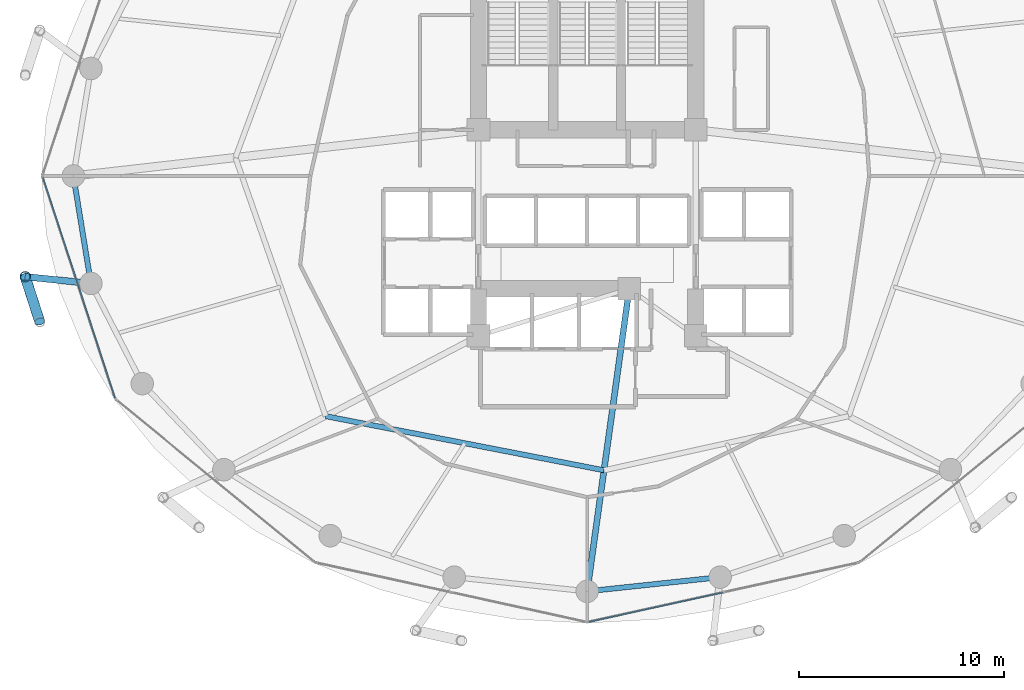
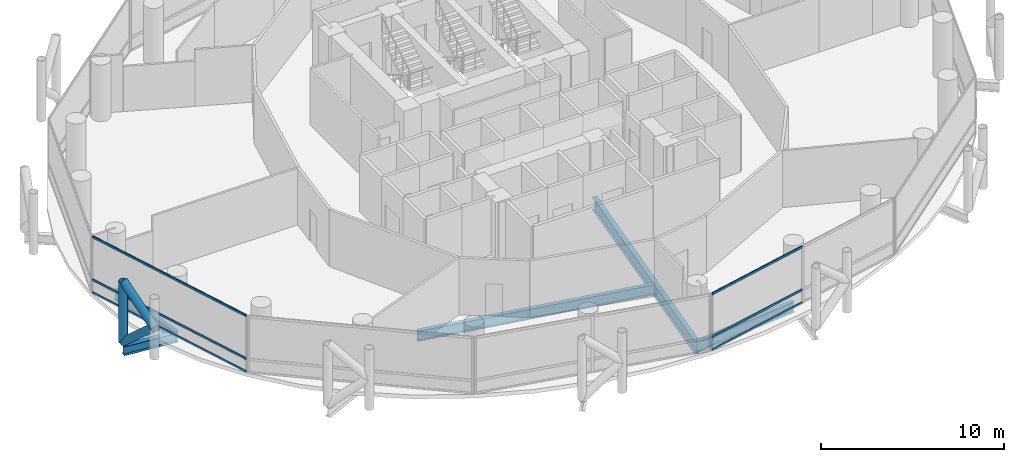
# One storey, part 5 of 25: 9 members, 5 beams, 2 elements without a shape of their own.
"""IFC4 building model written with IfcOpenShell, lengths in metres."""

from ifc_helpers import new_model, si_unit, direction, frame, origin, origin_2d, place, context, subcontext, project, spatial, hollow_rectangle, hollow_circle, i_section, extrude, material, layer, layer_set, material_profile, profile_set, type_object, element, aggregate, save


model = new_model("IFC4")

# Units and contexts
model_context = context("Model", 3, precision=1e-05, world=origin(), true_north=direction((0.0, 1.0)))
body_context = subcontext(model_context, "Body", "Model", "MODEL_VIEW")
ifc_project = project(units=[si_unit("LENGTHUNIT", "METRE"), si_unit("AREAUNIT", "SQUARE_METRE"), si_unit("VOLUMEUNIT", "CUBIC_METRE"), si_unit("PLANEANGLEUNIT", "RADIAN"), si_unit("MASSUNIT", "GRAM", prefix="KILO")], contexts=[model_context])

# Site, building, storey
site_placement = place(None, origin())
site = spatial("IfcSite", under=ifc_project, at=site_placement, CompositionType="ELEMENT")
building_placement = place(site_placement, origin())
building = spatial("IfcBuilding", under=site, at=building_placement, Name="Nuhasar Tower", CompositionType="ELEMENT")
storey_placement = place(building_placement, frame((0.0, 0.0, 45.300048828125)))
storey = spatial("IfcBuildingStorey", under=building, at=storey_placement, Name="L10", CompositionType="ELEMENT", Elevation=45.300048828125)

# Beams
ifc_material_1 = material(Name="Steel S355", Category="steel")
ifc_material_profile_1 = material_profile(ifc_material_1, i_section(OverallWidth=0.25390625, OverallDepth=0.68408203125, WebThickness=0.012451171875, FlangeThickness=0.018798828125, at=origin_2d()), Name="W27X94")
ifc_profile_set_1 = profile_set([ifc_material_profile_1], Name="Steel S355")
beam_type_1 = type_object("IfcBeamType", Name="BM-INRING-W27X94", PredefinedType="BEAM", material=ifc_profile_set_1)
beam_1_placement = place(storey_placement, frame((26.251953125, 15.089111328125, -0.60205078125), z_axis=(0.981602977761, -0.190933480695, 0.0), x_axis=(0.190933480695, 0.981602977761, 0.0)))
element("IfcBeam", 1, at=beam_1_placement, inside=storey, type_object=beam_type_1, Name="L10 Inner Header Beam 01", PredefinedType="BEAM", context=body_context, shape_type="SweptSolid", body=[
    extrude(i_section(OverallWidth=0.25390625, OverallDepth=0.68408203125, WebThickness=0.012451171875, FlangeThickness=0.018798828125, at=origin_2d()), origin(), (0.0, 0.0, 1.0), 13.822509765625),
])
ifc_material_profile_2 = material_profile(ifc_material_1, i_section(OverallWidth=0.2919921875, OverallDepth=0.85888671875, WebThickness=0.01708984375, FlangeThickness=0.031005859375, at=origin_2d()), Name="W33X169")
ifc_profile_set_2 = profile_set([ifc_material_profile_2], Name="Steel S355")
beam_type_2 = type_object("IfcBeamType", Name="BM-POD-W33X169", PredefinedType="BEAM", material=ifc_profile_set_2)
beam_2_placement = place(storey_placement, frame((41.050048828125, 21.300048828125, -0.68896484375), z_axis=(-0.137663087856, -0.990479113481, 0.0), x_axis=(0.990479113481, -0.137663087856, 0.0)))
element("IfcBeam", 2, at=beam_2_placement, inside=storey, type_object=beam_type_2, Name="L10 Radial Floor Girder 02", PredefinedType="BEAM", context=body_context, shape_type="SweptSolid", body=[
    extrude(i_section(OverallWidth=0.2919921875, OverallDepth=0.85888671875, WebThickness=0.01708984375, FlangeThickness=0.031005859375, at=origin_2d()), origin(), (0.0, 0.0, 1.0), 14.891845703125),
])
ifc_material_profile_3 = material_profile(ifc_material_1, i_section(OverallWidth=0.256103515625, OverallDepth=0.693115234375, WebThickness=0.014404296875, FlangeThickness=0.023681640625, at=origin_2d()), Name="W27X114")
ifc_profile_set_3 = profile_set([ifc_material_profile_3], Name="Steel S355")
beam_type_3 = type_object("IfcBeamType", Name="BM-RING-W27X114", PredefinedType="SPANDREL", material=ifc_profile_set_3)
beam_3_placement = place(storey_placement, frame((13.949951171875, 26.800048828125, -0.60595703125), z_axis=(0.160826635486, -0.986982671235, 0.0), x_axis=(0.986982671235, 0.160826635486, 0.0)))
element("IfcBeam", 3, at=beam_3_placement, inside=storey, type_object=beam_type_3, Name="L10 Perimeter Ring Spandrel 13", PredefinedType="SPANDREL", context=body_context, shape_type="SweptSolid", body=[
    extrude(i_section(OverallWidth=0.256103515625, OverallDepth=0.693115234375, WebThickness=0.014404296875, FlangeThickness=0.023681640625, at=origin_2d()), origin(), (0.0, 0.0, 1.0), 5.31005859375),
])
beam_4_placement = place(storey_placement, frame((39.0, 6.550048828125, -0.60595703125), z_axis=(0.994384554061, 0.105827022286, 0.0), x_axis=(-0.105827022286, 0.994384554061, 0.0)))
element("IfcBeam", 4, at=beam_4_placement, inside=storey, type_object=beam_type_3, Name="L10 Perimeter Ring Spandrel 19", PredefinedType="SPANDREL", context=body_context, shape_type="SweptSolid", body=[
    extrude(i_section(OverallWidth=0.256103515625, OverallDepth=0.693115234375, WebThickness=0.014404296875, FlangeThickness=0.023681640625, at=origin_2d()), origin(), (0.0, 0.0, 1.0), 6.51953125),
])
ifc_material_profile_4 = material_profile(ifc_material_1, i_section(OverallWidth=0.323974609375, OverallDepth=0.611083984375, WebThickness=0.0126953125, FlangeThickness=0.01904296875, at=origin_2d()), Name="W24X104")
ifc_profile_set_4 = profile_set([ifc_material_profile_4], Name="Steel S355")
beam_type_4 = type_object("IfcBeamType", Name="BM-TIE-W24X104", PredefinedType="BEAM", material=ifc_profile_set_4)
beam_5_placement = place(storey_placement, frame((14.803955078125, 21.55908203125, -0.566162109375), z_axis=(-0.994711572359, 0.102707778751, 0.0), x_axis=(-0.102707778751, -0.994711572359, 0.0)))
element("IfcBeam", 5, at=beam_5_placement, inside=storey, type_object=beam_type_4, Name="L10 Exoskeleton Node Tie Beam 07", PredefinedType="BEAM", context=body_context, shape_type="SweptSolid", body=[
    extrude(i_section(OverallWidth=0.323974609375, OverallDepth=0.611083984375, WebThickness=0.0126953125, FlangeThickness=0.01904296875, at=origin_2d()), origin(), (0.0, 0.0, 1.0), 3.220947265625),
])

# Curtain wall, members
ifc_material_2 = material(Name="Aluminium 6063-T6", Category="aluminium")
ifc_layer = layer(ifc_material_2, 0.199951171875)
ifc_layer_set = layer_set([ifc_layer], Name="Aluminium 6063-T6")
curtain_wall_type = type_object("IfcCurtainWallType", Name="CW-Z1-OFF", PredefinedType="NOTDEFINED", material=ifc_layer_set)
curtain_wall_1_placement = place(storey_placement, origin())
curtain_wall_1 = element("IfcCurtainWall", 6, at=curtain_wall_1_placement, inside=storey, type_object=curtain_wall_type, Name="L10 Unitised Curtain Wall 07", PredefinedType="NOTDEFINED")
ifc_material_profile_5 = material_profile(ifc_material_2, hollow_rectangle(XDim=0.06494140625, YDim=0.14990234375, WallThickness=0.00439453125, at=origin_2d()), Name="CWT-2")
ifc_profile_set_5 = profile_set([ifc_material_profile_5], Name="Aluminium 6063-T6")
member_type_1 = type_object("IfcMemberType", Name="CW-TRN-S2", PredefinedType="USERDEFINED", material=ifc_profile_set_5)
member_1_placement = place(storey_placement, frame((12.460205078125, 26.73828125, 0.032470703125), z_axis=(0.310818687697, -0.950469222741, 0.0), x_axis=(0.950469222741, 0.310818687697, 0.0)))
member_1 = element("IfcMember", 7, at=member_1_placement, type_object=member_type_1, Name="CW-Z1 transom 1.1", ObjectType="TRANSOM", PredefinedType="USERDEFINED", context=body_context, shape_type="SweptSolid", body=[
    extrude(hollow_rectangle(XDim=0.06494140625, YDim=0.14990234375, WallThickness=0.00439453125, at=origin_2d()), origin(), (0.0, 0.0, 1.0), 11.317138671875),
])
member_2_placement = place(storey_placement, frame((12.460205078125, 26.73828125, 0.89990234375), z_axis=(0.310818687697, -0.950469222741, 0.0), x_axis=(0.950469222741, 0.310818687697, 0.0)))
member_2 = element("IfcMember", 8, at=member_2_placement, type_object=member_type_1, Name="CW-Z1 transom 1.2", ObjectType="TRANSOM", PredefinedType="USERDEFINED", context=body_context, shape_type="SweptSolid", body=[
    extrude(hollow_rectangle(XDim=0.06494140625, YDim=0.14990234375, WallThickness=0.00439453125, at=origin_2d()), origin(), (0.0, 0.0, 1.0), 11.317138671875),
])
member_3_placement = place(storey_placement, frame((12.460205078125, 26.73828125, 3.757568359375), z_axis=(0.310818687697, -0.950469222741, 0.0), x_axis=(0.950469222741, 0.310818687697, 0.0)))
member_3 = element("IfcMember", 9, at=member_3_placement, type_object=member_type_1, Name="CW-Z1 transom 1.3", ObjectType="TRANSOM", PredefinedType="USERDEFINED", context=body_context, shape_type="SweptSolid", body=[
    extrude(hollow_rectangle(XDim=0.06494140625, YDim=0.14990234375, WallThickness=0.00439453125, at=origin_2d()), origin(), (0.0, 0.0, 1.0), 11.317138671875),
])
aggregate(curtain_wall_1, [member_1, member_2, member_3])

curtain_wall_2_placement = place(storey_placement, origin())
curtain_wall_2 = element("IfcCurtainWall", 10, at=curtain_wall_2_placement, inside=storey, type_object=curtain_wall_type, Name="L10 Unitised Curtain Wall 10", PredefinedType="NOTDEFINED")
member_4_placement = place(storey_placement, frame((39.0634765625, 5.053955078125, 0.032470703125), z_axis=(0.976747879138, 0.214391185916, 0.0), x_axis=(-0.214391185916, 0.976747879138, 0.0)))
member_4 = element("IfcMember", 11, at=member_4_placement, type_object=member_type_1, Name="CW-Z1 transom 1.1", ObjectType="TRANSOM", PredefinedType="USERDEFINED", context=body_context, shape_type="SweptSolid", body=[
    extrude(hollow_rectangle(XDim=0.06494140625, YDim=0.14990234375, WallThickness=0.00439453125, at=origin_2d()), origin(), (0.0, 0.0, 1.0), 6.700439453125),
])
member_5_placement = place(storey_placement, frame((39.0634765625, 5.053955078125, 0.89990234375), z_axis=(0.976747879138, 0.214391185916, 0.0), x_axis=(-0.214391185916, 0.976747879138, 0.0)))
member_5 = element("IfcMember", 12, at=member_5_placement, type_object=member_type_1, Name="CW-Z1 transom 1.2", ObjectType="TRANSOM", PredefinedType="USERDEFINED", context=body_context, shape_type="SweptSolid", body=[
    extrude(hollow_rectangle(XDim=0.06494140625, YDim=0.14990234375, WallThickness=0.00439453125, at=origin_2d()), origin(), (0.0, 0.0, 1.0), 6.700439453125),
])
member_6_placement = place(storey_placement, frame((39.0634765625, 5.053955078125, 3.757568359375), z_axis=(0.976747879138, 0.214391185916, 0.0), x_axis=(-0.214391185916, 0.976747879138, 0.0)))
member_6 = element("IfcMember", 13, at=member_6_placement, type_object=member_type_1, Name="CW-Z1 transom 1.3", ObjectType="TRANSOM", PredefinedType="USERDEFINED", context=body_context, shape_type="SweptSolid", body=[
    extrude(hollow_rectangle(XDim=0.06494140625, YDim=0.14990234375, WallThickness=0.00439453125, at=origin_2d()), origin(), (0.0, 0.0, 1.0), 6.700439453125),
])
aggregate(curtain_wall_2, [member_4, member_5, member_6])

# Members
ifc_material_3 = material(Name="Steel S460", Category="steel")
ifc_material_profile_6 = material_profile(ifc_material_3, hollow_circle(Radius=0.25390625, WallThickness=0.025390625, at=origin_2d()), Name="HSS508X25.4")
ifc_profile_set_6 = profile_set([ifc_material_profile_6], Name="Steel S460")
member_type_2 = type_object("IfcMemberType", Name="EXO-BRONZE-508", PredefinedType="BRACE", material=ifc_profile_set_6)
member_7_placement = place(storey_placement, frame((11.60009765625, 21.889892578125, 0.0), z_axis=(0.0, 0.0, 1.0), x_axis=(1.0, 0.0, 0.0)))
element("IfcMember", 14, at=member_7_placement, inside=storey, type_object=member_type_2, Name="L10 Exoskeleton Chord Column EC-07A", PredefinedType="BRACE", context=body_context, shape_type="SweptSolid", body=[
    extrude(hollow_circle(Radius=0.25390625, WallThickness=0.025390625, at=origin_2d()), origin(), (0.0, 0.0, 1.0), 4.050048828125),
])
member_8_placement = place(storey_placement, frame((11.60009765625, 21.889892578125, 0.0), z_axis=(0.231011836313, -0.714224870475, 0.660693851854), x_axis=(0.951468282519, 0.307746823478, 0.0)))
element("IfcMember", 15, at=member_8_placement, inside=storey, type_object=member_type_2, Name="L10 Bronze Diagrid Brace W1-07", PredefinedType="BRACE", context=body_context, shape_type="SweptSolid", body=[
    extrude(hollow_circle(Radius=0.25390625, WallThickness=0.025390625, at=origin_2d()), origin(), (0.0, 0.0, 1.0), 3.064697265625),
])
member_9_placement = place(storey_placement, frame((12.30810546875, 19.700927734375, 2.02490234375), z_axis=(-0.230999678299, 0.714187281251, 0.660738734997), x_axis=(-0.951468282519, -0.307746823478, 0.0)))
element("IfcMember", 16, at=member_9_placement, inside=storey, type_object=member_type_2, Name="L10 Bronze Diagrid Brace W2-07", PredefinedType="BRACE", context=body_context, shape_type="SweptSolid", body=[
    extrude(hollow_circle(Radius=0.25390625, WallThickness=0.025390625, at=origin_2d()), origin(), (0.0, 0.0, 1.0), 3.06494140625),
])

save(model, "model.ifc")
